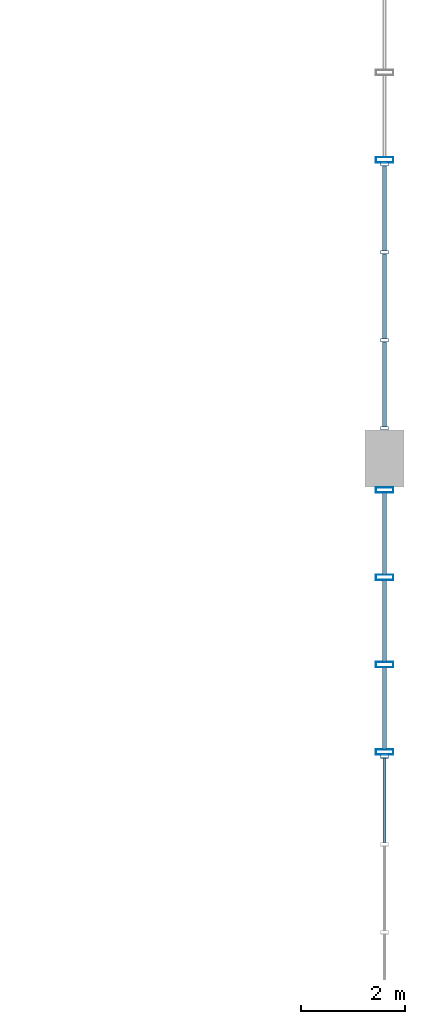
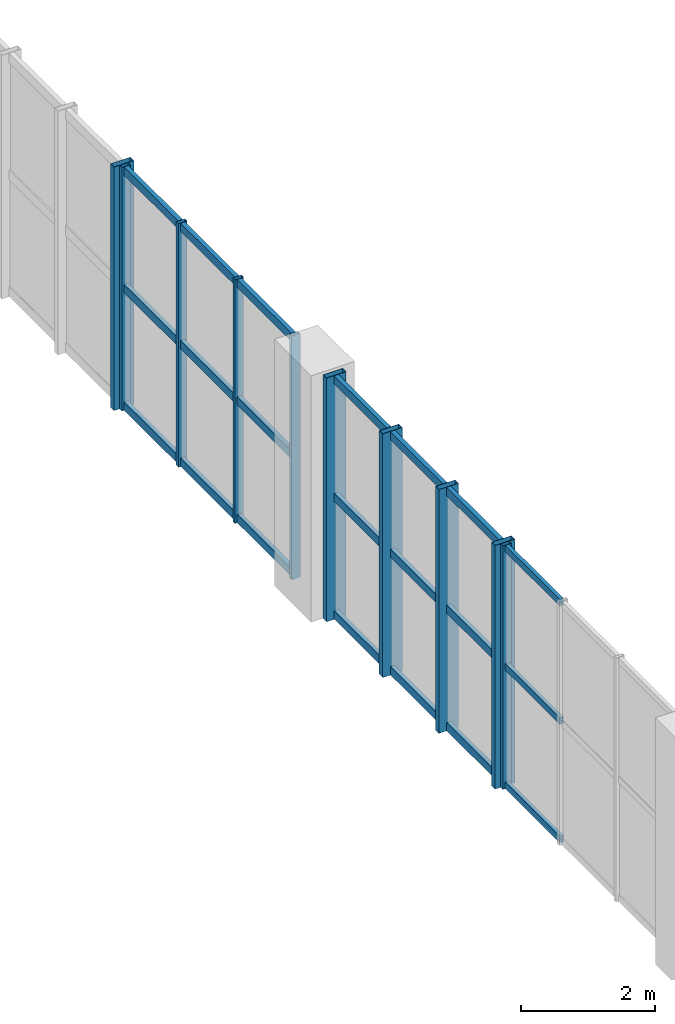
# One storey, part 45 of 80: 31 members, 4 elements without a shape of their own.
"""IFC4 building model written with IfcOpenShell, lengths in metres."""

from ifc_helpers import new_model, si_unit, direction, frame, origin, origin_2d, place, context, subcontext, project, spatial, hollow_rectangle, extrude, material, layer, layer_set, material_profile, profile_set, type_object, element, aggregate, save


model = new_model("IFC4")

# Units and contexts
model_context = context("Model", 3, precision=1e-05, world=origin(), true_north=direction((0.0, 1.0)))
body_context = subcontext(model_context, "Body", "Model", "MODEL_VIEW")
ifc_project = project(units=[si_unit("LENGTHUNIT", "METRE"), si_unit("AREAUNIT", "SQUARE_METRE"), si_unit("VOLUMEUNIT", "CUBIC_METRE"), si_unit("PLANEANGLEUNIT", "RADIAN"), si_unit("MASSUNIT", "GRAM", prefix="KILO"), si_unit("POWERUNIT", "WATT"), si_unit("THERMODYNAMICTEMPERATUREUNIT", "KELVIN")], contexts=[model_context])

# Site, building, storey
site_placement = place(None, origin())
site = spatial("IfcSite", under=ifc_project, at=site_placement, CompositionType="ELEMENT")
building_placement = place(site_placement, origin())
building = spatial("IfcBuilding", under=site, at=building_placement, Name="Kelmbourne Parkland Aquatics Centre", CompositionType="ELEMENT")
storey_placement = place(building_placement, frame((0.0, 0.0, 10.199951171875)))
storey = spatial("IfcBuildingStorey", under=building, at=storey_placement, Name="L02", CompositionType="ELEMENT", Elevation=10.199951171875)

# Curtain wall, member
ifc_material = material(Name="Thermally broken anodised aluminium framing", Category="aluminium")
ifc_layer_1 = layer(ifc_material, 0.179931640625)
ifc_layer_set_1 = layer_set([ifc_layer_1], Name="Thermally broken anodised aluminium framing")
curtain_wall_type_1 = type_object("IfcCurtainWallType", Name="CW-06", PredefinedType="NOTDEFINED", material=ifc_layer_set_1)
curtain_wall_1_placement = place(storey_placement, origin())
curtain_wall_1 = element("IfcCurtainWall", 1, at=curtain_wall_1_placement, inside=storey, type_object=curtain_wall_type_1, Name="Wave-hall clerestory curtain wall CW-L02-030", PredefinedType="NOTDEFINED")
ifc_material_profile_1 = material_profile(ifc_material, hollow_rectangle(XDim=0.06494140625, YDim=0.14990234375, WallThickness=0.00390625, at=origin_2d()), Name="CW-M 65x150")
ifc_profile_set_1 = profile_set([ifc_material_profile_1], Name="Thermally broken anodised aluminium framing")
member_type_1 = type_object("IfcMemberType", Name="MB-MUL-1", PredefinedType="MULLION", material=ifc_profile_set_1)
member_1_placement = place(storey_placement, frame((175.199951171875, 29.267578125, 0.0), z_axis=(0.0, 0.0, 1.0), x_axis=(0.0, 1.0, 0.0)))
member_1 = element("IfcMember", 2, at=member_1_placement, type_object=member_type_1, Name="CW-L02-030 mullion 3", PredefinedType="MULLION", context=body_context, shape_type="SweptSolid", body=[
    extrude(hollow_rectangle(XDim=0.06494140625, YDim=0.14990234375, WallThickness=0.00390625, at=origin_2d()), origin(), (0.0, 0.0, 1.0), 4.449951171875),
])

# Curtain wall, members
ifc_layer_2 = layer(ifc_material, 0.179931640625)
ifc_layer_set_2 = layer_set([ifc_layer_2], Name="Thermally broken anodised aluminium framing")
curtain_wall_type_2 = type_object("IfcCurtainWallType", Name="CW-16", PredefinedType="NOTDEFINED", material=ifc_layer_set_2)
curtain_wall_2_placement = place(storey_placement, origin())
curtain_wall_2 = element("IfcCurtainWall", 3, at=curtain_wall_2_placement, inside=storey, type_object=curtain_wall_type_2, Name="Wave-hall clerestory curtain wall CW-L02-040", PredefinedType="NOTDEFINED")
member_2_placement = place(storey_placement, frame((175.199951171875, 35.58447265625, 0.0), z_axis=(0.0, 0.0, 1.0), x_axis=(0.0, 1.0, 0.0)))
member_2 = element("IfcMember", 4, at=member_2_placement, type_object=member_type_1, Name="CW-L02-040 mullion 0", PredefinedType="MULLION", context=body_context, shape_type="SweptSolid", body=[
    extrude(hollow_rectangle(XDim=0.06494140625, YDim=0.14990234375, WallThickness=0.00390625, at=origin_2d()), origin(), (0.0, 0.0, 1.0), 4.449951171875),
])
member_3_placement = place(storey_placement, frame((175.199951171875, 37.27880859375, 0.0), z_axis=(0.0, 0.0, 1.0), x_axis=(0.0, 1.0, 0.0)))
member_3 = element("IfcMember", 5, at=member_3_placement, type_object=member_type_1, Name="CW-L02-040 mullion 1", PredefinedType="MULLION", context=body_context, shape_type="SweptSolid", body=[
    extrude(hollow_rectangle(XDim=0.06494140625, YDim=0.14990234375, WallThickness=0.00390625, at=origin_2d()), origin(), (0.0, 0.0, 1.0), 4.449951171875),
])
member_4_placement = place(storey_placement, frame((175.199951171875, 38.97314453125, 0.0), z_axis=(0.0, 0.0, 1.0), x_axis=(0.0, 1.0, 0.0)))
member_4 = element("IfcMember", 6, at=member_4_placement, type_object=member_type_1, Name="CW-L02-040 mullion 2", PredefinedType="MULLION", context=body_context, shape_type="SweptSolid", body=[
    extrude(hollow_rectangle(XDim=0.06494140625, YDim=0.14990234375, WallThickness=0.00390625, at=origin_2d()), origin(), (0.0, 0.0, 1.0), 4.449951171875),
])
member_5_placement = place(storey_placement, frame((175.199951171875, 40.66748046875, 0.0), z_axis=(0.0, 0.0, 1.0), x_axis=(0.0, 1.0, 0.0)))
member_5 = element("IfcMember", 7, at=member_5_placement, type_object=member_type_1, Name="CW-L02-040 mullion 3", PredefinedType="MULLION", context=body_context, shape_type="SweptSolid", body=[
    extrude(hollow_rectangle(XDim=0.06494140625, YDim=0.14990234375, WallThickness=0.00390625, at=origin_2d()), origin(), (0.0, 0.0, 1.0), 4.449951171875),
])

ifc_layer_3 = layer(ifc_material, 0.179931640625)
ifc_layer_set_3 = layer_set([ifc_layer_3], Name="Thermally broken anodised aluminium framing")
curtain_wall_type_3 = type_object("IfcCurtainWallType", Name="CW-10", PredefinedType="NOTDEFINED", material=ifc_layer_set_3)
curtain_wall_3_placement = place(storey_placement, origin())
curtain_wall_3 = element("IfcCurtainWall", 8, at=curtain_wall_3_placement, inside=storey, type_object=curtain_wall_type_3, Name="Wave-hall clerestory curtain wall CW-L02-034", PredefinedType="NOTDEFINED")
ifc_material_profile_2 = material_profile(ifc_material, hollow_rectangle(XDim=0.10498046875, YDim=0.340087890625, WallThickness=0.006103515625, at=origin_2d()), Name="CW-M 105x340")
ifc_profile_set_2 = profile_set([ifc_material_profile_2], Name="Thermally broken anodised aluminium framing")
member_type_2 = type_object("IfcMemberType", Name="MB-MUL-5", PredefinedType="MULLION", material=ifc_profile_set_2)
member_6_placement = place(storey_placement, frame((175.199951171875, 29.3525390625, 0.0), z_axis=(0.0, 0.0, 1.0), x_axis=(0.0, 1.0, 0.0)))
member_6 = element("IfcMember", 9, at=member_6_placement, type_object=member_type_2, Name="CW-L02-034 mullion 0", PredefinedType="MULLION", context=body_context, shape_type="SweptSolid", body=[
    extrude(hollow_rectangle(XDim=0.10498046875, YDim=0.340087890625, WallThickness=0.006103515625, at=origin_2d()), origin(), (0.0, 0.0, 1.0), 4.449951171875),
])
member_7_placement = place(storey_placement, frame((175.199951171875, 31.033447265625, 0.0), z_axis=(0.0, 0.0, 1.0), x_axis=(0.0, 1.0, 0.0)))
member_7 = element("IfcMember", 10, at=member_7_placement, type_object=member_type_2, Name="CW-L02-034 mullion 1", PredefinedType="MULLION", context=body_context, shape_type="SweptSolid", body=[
    extrude(hollow_rectangle(XDim=0.10498046875, YDim=0.340087890625, WallThickness=0.006103515625, at=origin_2d()), origin(), (0.0, 0.0, 1.0), 4.449951171875),
])
member_8_placement = place(storey_placement, frame((175.199951171875, 32.714599609375, 0.0), z_axis=(0.0, 0.0, 1.0), x_axis=(0.0, 1.0, 0.0)))
member_8 = element("IfcMember", 11, at=member_8_placement, type_object=member_type_2, Name="CW-L02-034 mullion 2", PredefinedType="MULLION", context=body_context, shape_type="SweptSolid", body=[
    extrude(hollow_rectangle(XDim=0.10498046875, YDim=0.340087890625, WallThickness=0.006103515625, at=origin_2d()), origin(), (0.0, 0.0, 1.0), 4.449951171875),
])
member_9_placement = place(storey_placement, frame((175.199951171875, 34.3955078125, 0.0), z_axis=(0.0, 0.0, 1.0), x_axis=(0.0, 1.0, 0.0)))
member_9 = element("IfcMember", 12, at=member_9_placement, type_object=member_type_2, Name="CW-L02-034 mullion 3", PredefinedType="MULLION", context=body_context, shape_type="SweptSolid", body=[
    extrude(hollow_rectangle(XDim=0.10498046875, YDim=0.340087890625, WallThickness=0.006103515625, at=origin_2d()), origin(), (0.0, 0.0, 1.0), 4.449951171875),
])

# Curtain wall, member
ifc_layer_4 = layer(ifc_material, 0.179931640625)
ifc_layer_set_4 = layer_set([ifc_layer_4], Name="Thermally broken anodised aluminium framing")
curtain_wall_type_4 = type_object("IfcCurtainWallType", Name="CW-20", PredefinedType="NOTDEFINED", material=ifc_layer_set_4)
curtain_wall_4_placement = place(storey_placement, origin())
curtain_wall_4 = element("IfcCurtainWall", 13, at=curtain_wall_4_placement, inside=storey, type_object=curtain_wall_type_4, Name="Wave-hall clerestory curtain wall CW-L02-044", PredefinedType="NOTDEFINED")
member_10_placement = place(storey_placement, frame((175.199951171875, 40.75244140625, 0.0), z_axis=(0.0, 0.0, 1.0), x_axis=(0.0, 1.0, 0.0)))
member_10 = element("IfcMember", 14, at=member_10_placement, type_object=member_type_2, Name="CW-L02-044 mullion 0", PredefinedType="MULLION", context=body_context, shape_type="SweptSolid", body=[
    extrude(hollow_rectangle(XDim=0.10498046875, YDim=0.340087890625, WallThickness=0.006103515625, at=origin_2d()), origin(), (0.0, 0.0, 1.0), 4.449951171875),
])
aggregate(curtain_wall_4, [member_10])

# Member
ifc_material_profile_3 = material_profile(ifc_material, hollow_rectangle(XDim=0.06494140625, YDim=0.1201171875, WallThickness=0.00341796875, at=origin_2d()), Name="CW-T 65x120")
ifc_profile_set_3 = profile_set([ifc_material_profile_3], Name="Thermally broken anodised aluminium framing")
member_type_3 = type_object("IfcMemberType", Name="MB-TRN-1", PredefinedType="USERDEFINED", material=ifc_profile_set_3)
member_11_placement = place(storey_placement, frame((175.199951171875, 27.601806640625, 0.06298828125), z_axis=(0.0, 1.0, 0.0), x_axis=(-1.0, 0.0, 0.0)))
member_11 = element("IfcMember", 15, at=member_11_placement, type_object=member_type_3, Name="CW-L02-030 transom 0-2", ObjectType="TRANSOM", PredefinedType="USERDEFINED", context=body_context, shape_type="SweptSolid", body=[
    extrude(hollow_rectangle(XDim=0.06494140625, YDim=0.1201171875, WallThickness=0.00341796875, at=origin_2d()), origin(), (0.0, 0.0, 1.0), 1.63720703125),
])

member_12_placement = place(storey_placement, frame((175.199951171875, 27.601806640625, 2.22509765625), z_axis=(0.0, 1.0, 0.0), x_axis=(-1.0, 0.0, 0.0)))
member_12 = element("IfcMember", 16, at=member_12_placement, type_object=member_type_3, Name="CW-L02-030 transom 1-2", ObjectType="TRANSOM", PredefinedType="USERDEFINED", context=body_context, shape_type="SweptSolid", body=[
    extrude(hollow_rectangle(XDim=0.06494140625, YDim=0.1201171875, WallThickness=0.00341796875, at=origin_2d()), origin(), (0.0, 0.0, 1.0), 1.63720703125),
])

member_13_placement = place(storey_placement, frame((175.199951171875, 27.601806640625, 4.386962890625), z_axis=(0.0, 1.0, 0.0), x_axis=(-1.0, 0.0, 0.0)))
member_13 = element("IfcMember", 17, at=member_13_placement, type_object=member_type_3, Name="CW-L02-030 transom 2-2", ObjectType="TRANSOM", PredefinedType="USERDEFINED", context=body_context, shape_type="SweptSolid", body=[
    extrude(hollow_rectangle(XDim=0.06494140625, YDim=0.1201171875, WallThickness=0.00341796875, at=origin_2d()), origin(), (0.0, 0.0, 1.0), 1.63720703125),
])

aggregate(curtain_wall_1, [member_1, member_11, member_12, member_13])

ifc_material_profile_4 = material_profile(ifc_material, hollow_rectangle(XDim=0.074951171875, YDim=0.14990234375, WallThickness=0.00390625, at=origin_2d()), Name="CW-T 75x150")
ifc_profile_set_4 = profile_set([ifc_material_profile_4], Name="Thermally broken anodised aluminium framing")
member_type_4 = type_object("IfcMemberType", Name="MB-TRN-2", PredefinedType="USERDEFINED", material=ifc_profile_set_4)
member_14_placement = place(storey_placement, frame((175.199951171875, 29.40087890625, 0.078125), z_axis=(0.0, 1.0, 0.0), x_axis=(-1.0, 0.0, 0.0)))
member_14 = element("IfcMember", 18, at=member_14_placement, type_object=member_type_4, Name="CW-L02-034 transom 0-0", ObjectType="TRANSOM", PredefinedType="USERDEFINED", context=body_context, shape_type="SweptSolid", body=[
    extrude(hollow_rectangle(XDim=0.074951171875, YDim=0.14990234375, WallThickness=0.00390625, at=origin_2d()), origin(), (0.0, 0.0, 1.0), 1.584228515625),
])

member_15_placement = place(storey_placement, frame((175.199951171875, 31.08203125, 0.078125), z_axis=(0.0, 1.0, 0.0), x_axis=(-1.0, 0.0, 0.0)))
member_15 = element("IfcMember", 19, at=member_15_placement, type_object=member_type_4, Name="CW-L02-034 transom 0-1", ObjectType="TRANSOM", PredefinedType="USERDEFINED", context=body_context, shape_type="SweptSolid", body=[
    extrude(hollow_rectangle(XDim=0.074951171875, YDim=0.14990234375, WallThickness=0.00390625, at=origin_2d()), origin(), (0.0, 0.0, 1.0), 1.583984375),
])

member_16_placement = place(storey_placement, frame((175.199951171875, 32.762939453125, 0.078125), z_axis=(0.0, 1.0, 0.0), x_axis=(-1.0, 0.0, 0.0)))
member_16 = element("IfcMember", 20, at=member_16_placement, type_object=member_type_4, Name="CW-L02-034 transom 0-2", ObjectType="TRANSOM", PredefinedType="USERDEFINED", context=body_context, shape_type="SweptSolid", body=[
    extrude(hollow_rectangle(XDim=0.074951171875, YDim=0.14990234375, WallThickness=0.00390625, at=origin_2d()), origin(), (0.0, 0.0, 1.0), 1.583984375),
])

member_17_placement = place(storey_placement, frame((175.199951171875, 29.40087890625, 2.22509765625), z_axis=(0.0, 1.0, 0.0), x_axis=(-1.0, 0.0, 0.0)))
member_17 = element("IfcMember", 21, at=member_17_placement, type_object=member_type_4, Name="CW-L02-034 transom 1-0", ObjectType="TRANSOM", PredefinedType="USERDEFINED", context=body_context, shape_type="SweptSolid", body=[
    extrude(hollow_rectangle(XDim=0.074951171875, YDim=0.14990234375, WallThickness=0.00390625, at=origin_2d()), origin(), (0.0, 0.0, 1.0), 1.584228515625),
])

member_18_placement = place(storey_placement, frame((175.199951171875, 31.08203125, 2.22509765625), z_axis=(0.0, 1.0, 0.0), x_axis=(-1.0, 0.0, 0.0)))
member_18 = element("IfcMember", 22, at=member_18_placement, type_object=member_type_4, Name="CW-L02-034 transom 1-1", ObjectType="TRANSOM", PredefinedType="USERDEFINED", context=body_context, shape_type="SweptSolid", body=[
    extrude(hollow_rectangle(XDim=0.074951171875, YDim=0.14990234375, WallThickness=0.00390625, at=origin_2d()), origin(), (0.0, 0.0, 1.0), 1.583984375),
])

member_19_placement = place(storey_placement, frame((175.199951171875, 32.762939453125, 2.22509765625), z_axis=(0.0, 1.0, 0.0), x_axis=(-1.0, 0.0, 0.0)))
member_19 = element("IfcMember", 23, at=member_19_placement, type_object=member_type_4, Name="CW-L02-034 transom 1-2", ObjectType="TRANSOM", PredefinedType="USERDEFINED", context=body_context, shape_type="SweptSolid", body=[
    extrude(hollow_rectangle(XDim=0.074951171875, YDim=0.14990234375, WallThickness=0.00390625, at=origin_2d()), origin(), (0.0, 0.0, 1.0), 1.583984375),
])

member_20_placement = place(storey_placement, frame((175.199951171875, 29.40087890625, 4.3720703125), z_axis=(0.0, 1.0, 0.0), x_axis=(-1.0, 0.0, 0.0)))
member_20 = element("IfcMember", 24, at=member_20_placement, type_object=member_type_4, Name="CW-L02-034 transom 2-0", ObjectType="TRANSOM", PredefinedType="USERDEFINED", context=body_context, shape_type="SweptSolid", body=[
    extrude(hollow_rectangle(XDim=0.074951171875, YDim=0.14990234375, WallThickness=0.00390625, at=origin_2d()), origin(), (0.0, 0.0, 1.0), 1.584228515625),
])

member_21_placement = place(storey_placement, frame((175.199951171875, 31.08203125, 4.3720703125), z_axis=(0.0, 1.0, 0.0), x_axis=(-1.0, 0.0, 0.0)))
member_21 = element("IfcMember", 25, at=member_21_placement, type_object=member_type_4, Name="CW-L02-034 transom 2-1", ObjectType="TRANSOM", PredefinedType="USERDEFINED", context=body_context, shape_type="SweptSolid", body=[
    extrude(hollow_rectangle(XDim=0.074951171875, YDim=0.14990234375, WallThickness=0.00390625, at=origin_2d()), origin(), (0.0, 0.0, 1.0), 1.583984375),
])

member_22_placement = place(storey_placement, frame((175.199951171875, 32.762939453125, 4.3720703125), z_axis=(0.0, 1.0, 0.0), x_axis=(-1.0, 0.0, 0.0)))
member_22 = element("IfcMember", 26, at=member_22_placement, type_object=member_type_4, Name="CW-L02-034 transom 2-2", ObjectType="TRANSOM", PredefinedType="USERDEFINED", context=body_context, shape_type="SweptSolid", body=[
    extrude(hollow_rectangle(XDim=0.074951171875, YDim=0.14990234375, WallThickness=0.00390625, at=origin_2d()), origin(), (0.0, 0.0, 1.0), 1.583984375),
])

aggregate(curtain_wall_3, [member_6, member_7, member_8, member_9, member_14, member_15, member_16, member_17, member_18, member_19, member_20, member_21, member_22])

member_23_placement = place(storey_placement, frame((175.199951171875, 35.613037109375, 0.078125), z_axis=(0.0, 1.0, 0.0), x_axis=(-1.0, 0.0, 0.0)))
member_23 = element("IfcMember", 27, at=member_23_placement, type_object=member_type_4, Name="CW-L02-040 transom 0-0", ObjectType="TRANSOM", PredefinedType="USERDEFINED", context=body_context, shape_type="SweptSolid", body=[
    extrude(hollow_rectangle(XDim=0.074951171875, YDim=0.14990234375, WallThickness=0.00390625, at=origin_2d()), origin(), (0.0, 0.0, 1.0), 1.63720703125),
])

member_24_placement = place(storey_placement, frame((175.199951171875, 37.307373046875, 0.078125), z_axis=(0.0, 1.0, 0.0), x_axis=(-1.0, 0.0, 0.0)))
member_24 = element("IfcMember", 28, at=member_24_placement, type_object=member_type_4, Name="CW-L02-040 transom 0-1", ObjectType="TRANSOM", PredefinedType="USERDEFINED", context=body_context, shape_type="SweptSolid", body=[
    extrude(hollow_rectangle(XDim=0.074951171875, YDim=0.14990234375, WallThickness=0.00390625, at=origin_2d()), origin(), (0.0, 0.0, 1.0), 1.63720703125),
])

member_25_placement = place(storey_placement, frame((175.199951171875, 39.001708984375, 0.078125), z_axis=(0.0, 1.0, 0.0), x_axis=(-1.0, 0.0, 0.0)))
member_25 = element("IfcMember", 29, at=member_25_placement, type_object=member_type_4, Name="CW-L02-040 transom 0-2", ObjectType="TRANSOM", PredefinedType="USERDEFINED", context=body_context, shape_type="SweptSolid", body=[
    extrude(hollow_rectangle(XDim=0.074951171875, YDim=0.14990234375, WallThickness=0.00390625, at=origin_2d()), origin(), (0.0, 0.0, 1.0), 1.63720703125),
])

member_26_placement = place(storey_placement, frame((175.199951171875, 35.613037109375, 2.22509765625), z_axis=(0.0, 1.0, 0.0), x_axis=(-1.0, 0.0, 0.0)))
member_26 = element("IfcMember", 30, at=member_26_placement, type_object=member_type_4, Name="CW-L02-040 transom 1-0", ObjectType="TRANSOM", PredefinedType="USERDEFINED", context=body_context, shape_type="SweptSolid", body=[
    extrude(hollow_rectangle(XDim=0.074951171875, YDim=0.14990234375, WallThickness=0.00390625, at=origin_2d()), origin(), (0.0, 0.0, 1.0), 1.63720703125),
])

member_27_placement = place(storey_placement, frame((175.199951171875, 37.307373046875, 2.22509765625), z_axis=(0.0, 1.0, 0.0), x_axis=(-1.0, 0.0, 0.0)))
member_27 = element("IfcMember", 31, at=member_27_placement, type_object=member_type_4, Name="CW-L02-040 transom 1-1", ObjectType="TRANSOM", PredefinedType="USERDEFINED", context=body_context, shape_type="SweptSolid", body=[
    extrude(hollow_rectangle(XDim=0.074951171875, YDim=0.14990234375, WallThickness=0.00390625, at=origin_2d()), origin(), (0.0, 0.0, 1.0), 1.63720703125),
])

member_28_placement = place(storey_placement, frame((175.199951171875, 39.001708984375, 2.22509765625), z_axis=(0.0, 1.0, 0.0), x_axis=(-1.0, 0.0, 0.0)))
member_28 = element("IfcMember", 32, at=member_28_placement, type_object=member_type_4, Name="CW-L02-040 transom 1-2", ObjectType="TRANSOM", PredefinedType="USERDEFINED", context=body_context, shape_type="SweptSolid", body=[
    extrude(hollow_rectangle(XDim=0.074951171875, YDim=0.14990234375, WallThickness=0.00390625, at=origin_2d()), origin(), (0.0, 0.0, 1.0), 1.63720703125),
])

member_29_placement = place(storey_placement, frame((175.199951171875, 35.613037109375, 4.3720703125), z_axis=(0.0, 1.0, 0.0), x_axis=(-1.0, 0.0, 0.0)))
member_29 = element("IfcMember", 33, at=member_29_placement, type_object=member_type_4, Name="CW-L02-040 transom 2-0", ObjectType="TRANSOM", PredefinedType="USERDEFINED", context=body_context, shape_type="SweptSolid", body=[
    extrude(hollow_rectangle(XDim=0.074951171875, YDim=0.14990234375, WallThickness=0.00390625, at=origin_2d()), origin(), (0.0, 0.0, 1.0), 1.63720703125),
])

member_30_placement = place(storey_placement, frame((175.199951171875, 37.307373046875, 4.3720703125), z_axis=(0.0, 1.0, 0.0), x_axis=(-1.0, 0.0, 0.0)))
member_30 = element("IfcMember", 34, at=member_30_placement, type_object=member_type_4, Name="CW-L02-040 transom 2-1", ObjectType="TRANSOM", PredefinedType="USERDEFINED", context=body_context, shape_type="SweptSolid", body=[
    extrude(hollow_rectangle(XDim=0.074951171875, YDim=0.14990234375, WallThickness=0.00390625, at=origin_2d()), origin(), (0.0, 0.0, 1.0), 1.63720703125),
])

member_31_placement = place(storey_placement, frame((175.199951171875, 39.001708984375, 4.3720703125), z_axis=(0.0, 1.0, 0.0), x_axis=(-1.0, 0.0, 0.0)))
member_31 = element("IfcMember", 35, at=member_31_placement, type_object=member_type_4, Name="CW-L02-040 transom 2-2", ObjectType="TRANSOM", PredefinedType="USERDEFINED", context=body_context, shape_type="SweptSolid", body=[
    extrude(hollow_rectangle(XDim=0.074951171875, YDim=0.14990234375, WallThickness=0.00390625, at=origin_2d()), origin(), (0.0, 0.0, 1.0), 1.63720703125),
])

aggregate(curtain_wall_2, [member_2, member_3, member_4, member_5, member_23, member_24, member_25, member_26, member_27, member_28, member_29, member_30, member_31])

save(model, "model.ifc")
